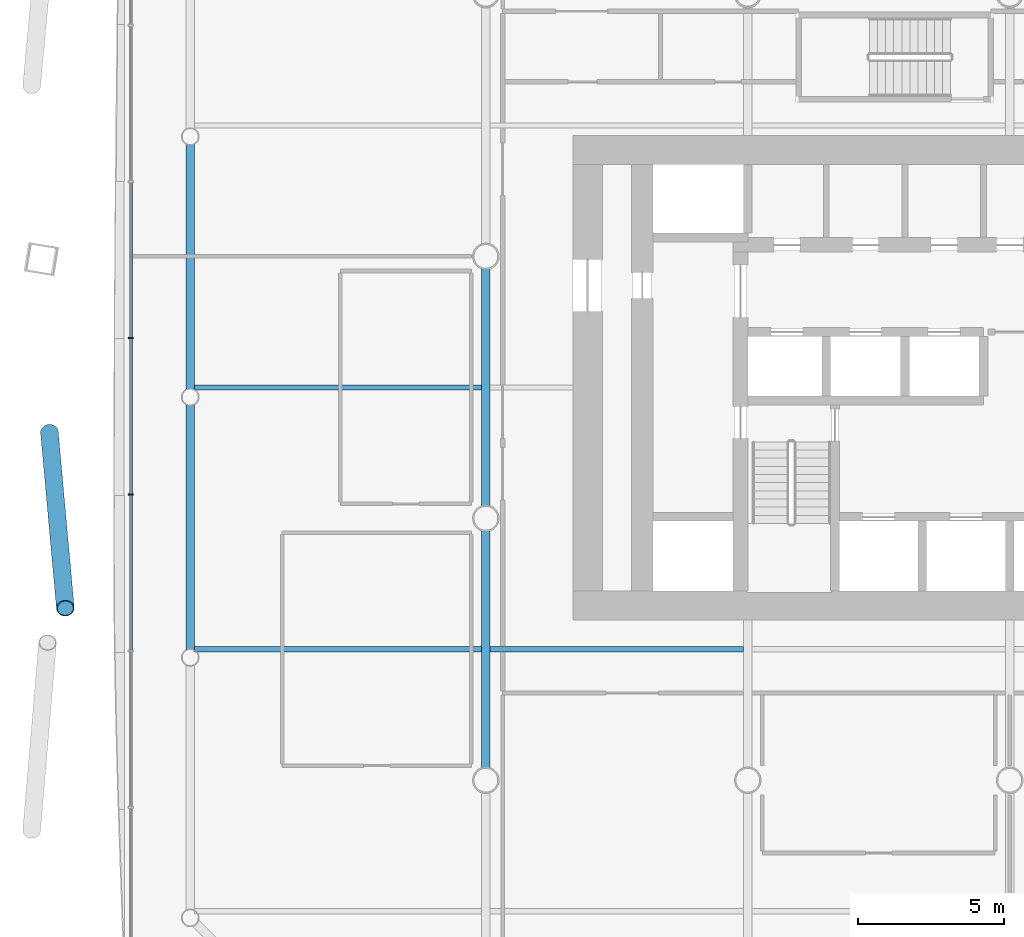
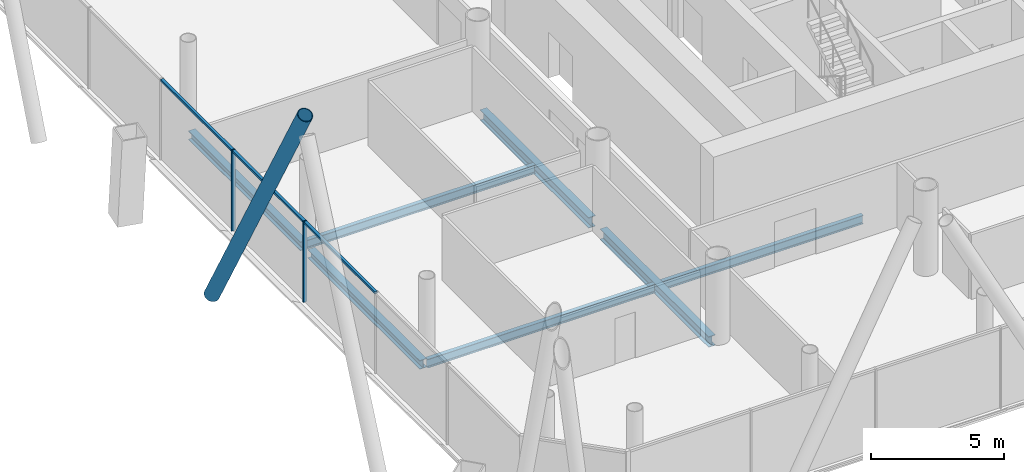
# One storey, part 5 of 25: 7 beams, 6 members, 1 element without a shape of its own.
"""IFC4 building model written with IfcOpenShell, lengths in metres."""

from ifc_helpers import new_model, si_unit, direction, frame, origin, origin_2d, place, context, subcontext, project, spatial, rectangle, hollow_circle, i_section, extrude, material, material_profile, profile_set, type_object, element, aggregate, save


model = new_model("IFC4")

# Units and contexts
model_context = context("Model", 3, precision=1e-05, world=origin(), true_north=direction((0.0, 1.0)))
body_context = subcontext(model_context, "Body", "Model", "MODEL_VIEW")
ifc_project = project(units=[si_unit("LENGTHUNIT", "METRE"), si_unit("AREAUNIT", "SQUARE_METRE"), si_unit("VOLUMEUNIT", "CUBIC_METRE"), si_unit("PLANEANGLEUNIT", "RADIAN"), si_unit("MASSUNIT", "GRAM", prefix="KILO")], contexts=[model_context])

# Site, building, storey
site_placement = place(None, origin())
site = spatial("IfcSite", under=ifc_project, at=site_placement, CompositionType="ELEMENT")
building_placement = place(site_placement, origin())
building = spatial("IfcBuilding", under=site, at=building_placement, Name="Tskaro Facet Tower", CompositionType="ELEMENT")
storey_placement = place(building_placement, frame((0.0, 0.0, 22.5)))
storey = spatial("IfcBuildingStorey", under=building, at=storey_placement, Name="L04", CompositionType="ELEMENT", Elevation=22.5)

# Member
ifc_material_1 = material(Name="Steel S355J2H", Category="steel")
ifc_material_profile_1 = material_profile(ifc_material_1, hollow_circle(Radius=0.304931640625, WallThickness=0.030029296875, at=origin_2d()), Name="CHS 610x30")
ifc_profile_set_1 = profile_set([ifc_material_profile_1], Name="Steel S355J2H")
member_type_1 = type_object("IfcMemberType", Name="CHS 610x30 brace", PredefinedType="BRACE", material=ifc_profile_set_1)
member_1_placement = place(storey_placement, frame((-32.997314453125, -6.044921875, 0.0), z_axis=(0.04156441826, -0.458634830894, 0.887652235408), x_axis=(0.995918552867, 0.090256501459, 0.0)))
element("IfcMember", 1, at=member_1_placement, inside=storey, type_object=member_type_1, Name="CHS 610x30 XB11A/1", PredefinedType="BRACE", context=body_context, shape_type="SweptSolid", body=[
    extrude(hollow_circle(Radius=0.304931640625, WallThickness=0.030029296875, at=origin_2d()), origin(), (0.0, 0.0, 1.0), 13.1806640625),
])

# Curtain wall, members
ifc_material_2 = material(Name="Bronze anodised aluminium 6063-T6", Category="aluminium")
curtain_wall_type = type_object("IfcCurtainWallType", Name="Bronze office curtain wall (FW1)", PredefinedType="NOTDEFINED", material=ifc_material_2)
curtain_wall_placement = place(storey_placement, origin())
curtain_wall = element("IfcCurtainWall", 2, at=curtain_wall_placement, inside=storey, type_object=curtain_wall_type, Name="FW1 west facet L04", PredefinedType="NOTDEFINED")
ifc_material_profile_2 = material_profile(ifc_material_2, rectangle(XDim=0.06005859375, YDim=0.159912109375, at=origin_2d()), Name="Mullion 60x160")
ifc_profile_set_2 = profile_set([ifc_material_profile_2], Name="Bronze anodised aluminium 6063-T6")
member_type_2 = type_object("IfcMemberType", Name="FW1 bronze mullion 60x160", PredefinedType="MULLION", material=ifc_profile_set_2)
member_2_placement = place(storey_placement, frame((-30.201904296875, -2.806884765625, 0.0), z_axis=(0.0, 0.0, 1.0), x_axis=(0.0, -1.0, 0.0)))
member_2 = element("IfcMember", 3, at=member_2_placement, type_object=member_type_2, Name="FW1 west mullion 5", PredefinedType="MULLION", context=body_context, shape_type="SweptSolid", body=[
    extrude(rectangle(XDim=0.06005859375, YDim=0.159912109375, at=origin_2d()), origin(), (0.0, 0.0, 1.0), 3.699951171875),
])
member_3_placement = place(storey_placement, frame((-30.201904296875, -8.181396484375, 0.0), z_axis=(0.0, 0.0, 1.0), x_axis=(0.0, -1.0, 0.0)))
member_3 = element("IfcMember", 4, at=member_3_placement, type_object=member_type_2, Name="FW1 west mullion 6", PredefinedType="MULLION", context=body_context, shape_type="SweptSolid", body=[
    extrude(rectangle(XDim=0.06005859375, YDim=0.159912109375, at=origin_2d()), origin(), (0.0, 0.0, 1.0), 3.699951171875),
])
ifc_material_profile_3 = material_profile(ifc_material_2, rectangle(XDim=0.1201171875, YDim=0.10009765625, at=origin_2d()), Name="Transom 120x100")
ifc_profile_set_3 = profile_set([ifc_material_profile_3], Name="Bronze anodised aluminium 6063-T6")
member_type_3 = type_object("IfcMemberType", Name="FW1 bronze transom 120x100", PredefinedType="USERDEFINED", material=ifc_profile_set_3)
member_4_placement = place(storey_placement, frame((-30.201904296875, 2.537841796875, 3.64990234375), z_axis=(0.0, -1.0, 0.0), x_axis=(1.0, 0.0, 0.0)))
member_4 = element("IfcMember", 5, at=member_4_placement, type_object=member_type_3, Name="FW1 west transom 5.1", ObjectType="TRANSOM", PredefinedType="USERDEFINED", context=body_context, shape_type="SweptSolid", body=[
    extrude(rectangle(XDim=0.1201171875, YDim=0.10009765625, at=origin_2d()), origin(), (0.0, 0.0, 1.0), 5.314697265625),
])
member_5_placement = place(storey_placement, frame((-30.201904296875, -2.836669921875, 3.64990234375), z_axis=(0.0, -1.0, 0.0), x_axis=(1.0, 0.0, 0.0)))
member_5 = element("IfcMember", 6, at=member_5_placement, type_object=member_type_3, Name="FW1 west transom 6.1", ObjectType="TRANSOM", PredefinedType="USERDEFINED", context=body_context, shape_type="SweptSolid", body=[
    extrude(rectangle(XDim=0.1201171875, YDim=0.10009765625, at=origin_2d()), origin(), (0.0, 0.0, 1.0), 5.314697265625),
])
member_6_placement = place(storey_placement, frame((-30.201904296875, -8.21142578125, 3.64990234375), z_axis=(0.0, -1.0, 0.0), x_axis=(1.0, 0.0, 0.0)))
member_6 = element("IfcMember", 7, at=member_6_placement, type_object=member_type_3, Name="FW1 west transom 7.1", ObjectType="TRANSOM", PredefinedType="USERDEFINED", context=body_context, shape_type="SweptSolid", body=[
    extrude(rectangle(XDim=0.1201171875, YDim=0.10009765625, at=origin_2d()), origin(), (0.0, 0.0, 1.0), 5.314453125),
])
aggregate(curtain_wall, [member_2, member_3, member_4, member_5, member_6])

# Beams
ifc_material_3 = material(Name="Steel S355J2", Category="steel")
ifc_material_profile_4 = material_profile(ifc_material_3, i_section(OverallWidth=0.300048828125, OverallDepth=0.39990234375, WebThickness=0.013427734375, FlangeThickness=0.02392578125, FilletRadius=0.027099609375, at=origin_2d()), Name="HE 400 B")
ifc_profile_set_4 = profile_set([ifc_material_profile_4], Name="Steel S355J2")
beam_type_1 = type_object("IfcBeamType", Name="HE 400 B ring beam", PredefinedType="BEAM", material=ifc_profile_set_4)
beam_1_placement = place(storey_placement, frame((-28.156982421875, 3.841064453125, -0.340087890625), z_axis=(0.0, -1.0, 0.0), x_axis=(1.0, 0.0, 0.0)))
element("IfcBeam", 8, at=beam_1_placement, inside=storey, type_object=beam_type_1, Name="HE 400 B EB22-1", PredefinedType="BEAM", context=body_context, shape_type="SweptSolid", body=[
    extrude(i_section(OverallWidth=0.300048828125, OverallDepth=0.39990234375, WebThickness=0.013427734375, FlangeThickness=0.02392578125, FilletRadius=0.027099609375, at=origin_2d()), origin(), (0.0, 0.0, 1.0), 8.399169921875),
])
beam_2_placement = place(storey_placement, frame((-28.156982421875, -5.10791015625, -0.340087890625), z_axis=(0.0, -1.0, 0.0), x_axis=(1.0, 0.0, 0.0)))
element("IfcBeam", 9, at=beam_2_placement, inside=storey, type_object=beam_type_1, Name="HE 400 B EB23-1", PredefinedType="BEAM", context=body_context, shape_type="SweptSolid", body=[
    extrude(i_section(OverallWidth=0.300048828125, OverallDepth=0.39990234375, WebThickness=0.013427734375, FlangeThickness=0.02392578125, FilletRadius=0.027099609375, at=origin_2d()), origin(), (0.0, 0.0, 1.0), 8.398193359375),
])
ifc_material_profile_5 = material_profile(ifc_material_3, i_section(OverallWidth=0.300048828125, OverallDepth=0.489990234375, WebThickness=0.011962890625, FlangeThickness=0.02294921875, FilletRadius=0.027099609375, at=origin_2d()), Name="HE 500 A")
ifc_profile_set_5 = profile_set([ifc_material_profile_5], Name="Steel S355J2")
beam_type_2 = type_object("IfcBeamType", Name="HE 500 A girder", PredefinedType="BEAM", material=ifc_profile_set_5)
for number, where, z_axis, x_axis, name in (
    (10, (-18.0, -17.57275390625, -0.385009765625), (0.0, 1.0, 0.0), (-1.0, 0.0, 0.0), "HE 500 A GB2-2-1"),
    (11, (-18.0, -8.57275390625, -0.385009765625), (0.0, 1.0, 0.0), (-1.0, 0.0, 0.0), "HE 500 A GB2-3-1"),
):
    element("IfcBeam", number, at=place(storey_placement, frame(where, z_axis=z_axis, x_axis=x_axis)), inside=storey, type_object=beam_type_2, Name=name, PredefinedType="BEAM", context=body_context, shape_type="SweptSolid", body=[
        extrude(i_section(OverallWidth=0.300048828125, OverallDepth=0.489990234375, WebThickness=0.011962890625, FlangeThickness=0.02294921875, FilletRadius=0.027099609375, at=origin_2d()), origin(), (0.0, 0.0, 1.0), 8.1455078125),
    ])
ifc_material_profile_6 = material_profile(ifc_material_3, i_section(OverallWidth=0.179931640625, OverallDepth=0.39990234375, WebThickness=0.008544921875, FlangeThickness=0.013427734375, FilletRadius=0.02099609375, at=origin_2d()), Name="IPE 400")
ifc_profile_set_6 = profile_set([ifc_material_profile_6], Name="Steel S355J2")
beam_type_3 = type_object("IfcBeamType", Name="IPE 400 secondary beam", PredefinedType="BEAM", material=ifc_profile_set_6)
beam_3_placement = place(storey_placement, frame((-28.007080078125, -13.5, -0.340087890625), z_axis=(1.0, 0.0, 0.0), x_axis=(0.0, 1.0, 0.0)))
element("IfcBeam", 12, at=beam_3_placement, inside=storey, type_object=beam_type_3, Name="IPE 400 SB2a-1-1", PredefinedType="BEAM", context=body_context, shape_type="SweptSolid", body=[
    extrude(i_section(OverallWidth=0.179931640625, OverallDepth=0.39990234375, WebThickness=0.008544921875, FlangeThickness=0.013427734375, FilletRadius=0.02099609375, at=origin_2d()), origin(), (0.0, 0.0, 1.0), 9.857177734375),
])
beam_4_placement = place(storey_placement, frame((-17.85009765625, -13.5, -0.340087890625), z_axis=(1.0, 0.0, 0.0), x_axis=(0.0, 1.0, 0.0)))
element("IfcBeam", 13, at=beam_4_placement, inside=storey, type_object=beam_type_3, Name="IPE 400 SB2a-2-1", PredefinedType="BEAM", context=body_context, shape_type="SweptSolid", body=[
    extrude(i_section(OverallWidth=0.179931640625, OverallDepth=0.39990234375, WebThickness=0.008544921875, FlangeThickness=0.013427734375, FilletRadius=0.02099609375, at=origin_2d()), origin(), (0.0, 0.0, 1.0), 8.7001953125),
])
beam_5_placement = place(storey_placement, frame((-28.007080078125, -4.5, -0.340087890625), z_axis=(1.0, 0.0, 0.0), x_axis=(0.0, 1.0, 0.0)))
element("IfcBeam", 14, at=beam_5_placement, inside=storey, type_object=beam_type_3, Name="IPE 400 SB3a-1-1", PredefinedType="BEAM", context=body_context, shape_type="SweptSolid", body=[
    extrude(i_section(OverallWidth=0.179931640625, OverallDepth=0.39990234375, WebThickness=0.008544921875, FlangeThickness=0.013427734375, FilletRadius=0.02099609375, at=origin_2d()), origin(), (0.0, 0.0, 1.0), 9.857177734375),
])

save(model, "model.ifc")
